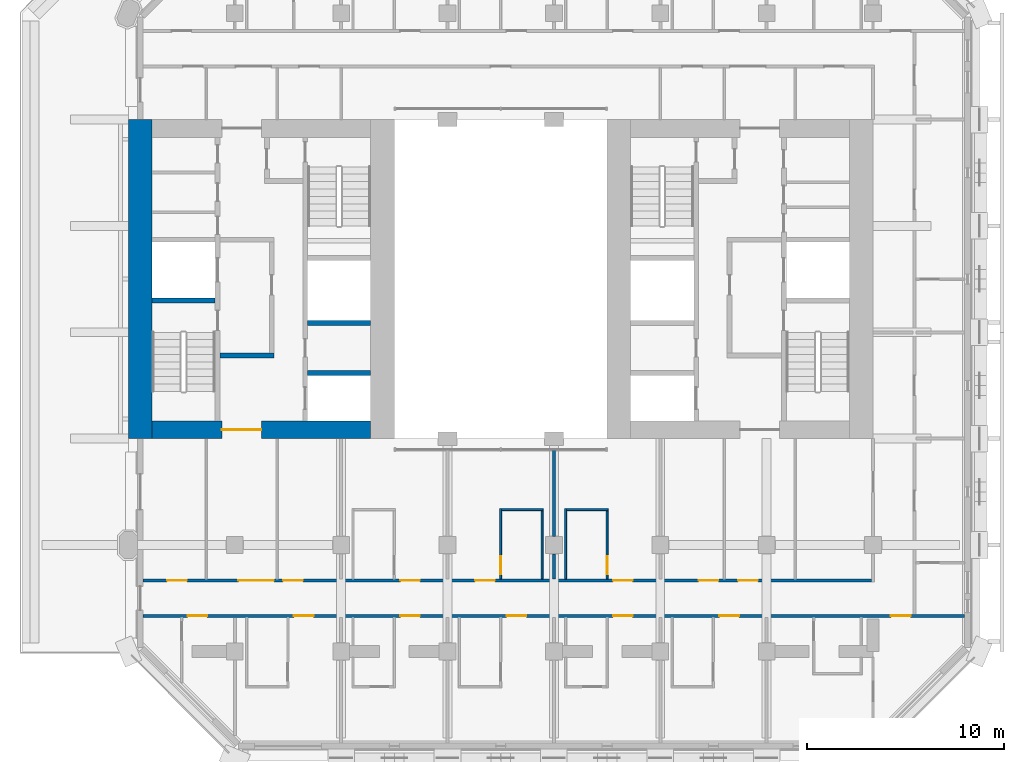
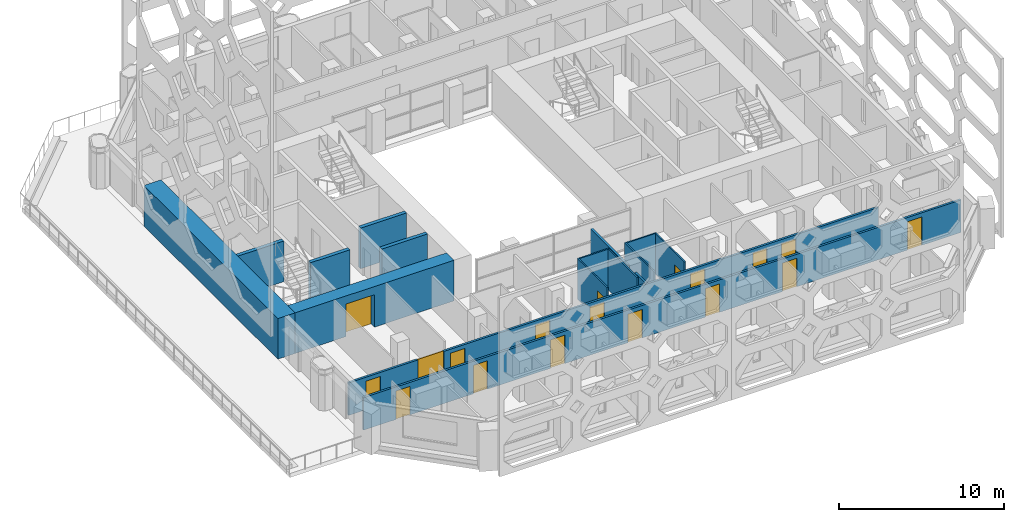
# One storey, part 7 of 16: 18 doors, 16 walls, 18 openings.
"""IFC4 building model written with IfcOpenShell, lengths in metres."""

from ifc_helpers import new_model, si_unit, direction, frame, frame_2d, origin, place, context, subcontext, project, spatial, rectangle, extrude, material, layer, layer_set, type_object, element, fill, save


model = new_model("IFC4")

# Units and contexts
model_context = context("Model", 3, precision=1e-05, world=origin(), true_north=direction((0.0, 1.0)))
body_context = subcontext(model_context, "Body", "Model", "MODEL_VIEW")
ifc_project = project(units=[si_unit("LENGTHUNIT", "METRE"), si_unit("AREAUNIT", "SQUARE_METRE"), si_unit("VOLUMEUNIT", "CUBIC_METRE"), si_unit("PLANEANGLEUNIT", "RADIAN"), si_unit("MASSUNIT", "GRAM", prefix="KILO")], contexts=[model_context])

# Site, building, storey
site_placement = place(None, origin())
site = spatial("IfcSite", under=ifc_project, at=site_placement, CompositionType="ELEMENT")
building_placement = place(site_placement, origin())
building = spatial("IfcBuilding", under=site, at=building_placement, Name="Tabaq Tower and Sports Hall", CompositionType="ELEMENT")
storey_placement = place(building_placement, frame((0.0, 0.0, 152.800048828125)))
storey = spatial("IfcBuildingStorey", under=building, at=storey_placement, Name="L35", CompositionType="ELEMENT", Elevation=152.800048828125)

# Wall
ifc_material_1 = material(Name="Concrete C50/60", Category="concrete")
ifc_layer_1 = layer(ifc_material_1, 1.199951171875)
ifc_layer_set_1 = layer_set([ifc_layer_1], Name="Core wall 1200 Concrete C50/60")
wall_type_1 = type_object("IfcWallType", Name="Core wall 1200 Concrete C50/60", PredefinedType="SOLIDWALL", material=ifc_layer_set_1)
wall_1_placement = place(storey_placement, frame((6.0, 16.199951171875, 0.0), z_axis=(0.0, 0.0, 1.0), x_axis=(0.0, 1.0, 0.0)))
element("IfcWall", 1, at=wall_1_placement, inside=storey, type_object=wall_type_1, Name="Core wall W L35", PredefinedType="SOLIDWALL", context=body_context, shape_type="SweptSolid", body=[
    extrude(rectangle(XDim=16.199951171875, YDim=1.199951171875, at=frame_2d((8.10009765625, 0.0))), origin(), (0.0, 0.0, 1.0), 3.0),
])

# Wall, opening, door
ifc_material_2 = material(Name="Concrete C50/60", Category="concrete")
ifc_layer_2 = layer(ifc_material_2, 0.89990234375)
ifc_layer_set_2 = layer_set([ifc_layer_2], Name="Core wall 900 Concrete C50/60")
wall_type_2 = type_object("IfcWallType", Name="Core wall 900 Concrete C50/60", PredefinedType="SOLIDWALL", material=ifc_layer_set_2)
wall_2_placement = place(storey_placement, frame((17.699951171875, 16.64990234375, 0.0), z_axis=(0.0, 0.0, 1.0), x_axis=(-1.0, 0.0, 0.0)))
wall_2 = element("IfcWall", 2, at=wall_2_placement, inside=storey, type_object=wall_type_2, Name="Core wall W L35", PredefinedType="SOLIDWALL", context=body_context, shape_type="SweptSolid", body=[
    extrude(rectangle(XDim=11.099853515625, YDim=0.89990234375, at=frame_2d((5.5498046875, 0.0))), origin(), (0.0, 0.0, 1.0), 3.0),
])
opening_1_placement = place(wall_2_placement, frame((5.550048828125, 0.0, 0.0)))
opening_1 = element("IfcOpeningElement", 3, at=opening_1_placement, cuts=wall_2, Name="Opening PD-WL35-01", PredefinedType="OPENING", context=body_context, shape_type="SweptSolid", body=[
    extrude(rectangle(XDim=2.0, YDim=2.39990234375, at=frame_2d((1.0, 1.199951171875))), frame((0.0, 0.449951171875, 0.0), z_axis=(0.0, -1.0, 0.0), x_axis=(1.0, 0.0, 0.0)), (0.0, 0.0, 1.0), 0.89990234375),
])
ifc_material_3 = material(Name="Steel fire door", Category="steel")
door_type_1 = type_object("IfcDoorType", Name="Core entrance door 2000", OperationType="DOUBLE_DOOR_SINGLE_SWING", PredefinedType="DOOR", material=ifc_material_3)
door_1_placement = place(opening_1_placement, origin())
door_1 = element("IfcDoor", 4, at=door_1_placement, inside=storey, type_object=door_type_1, Name="Core entrance south W L35", OperationType="DOUBLE_DOOR_SINGLE_SWING", OverallHeight=2.39990234375, OverallWidth=2.0, PredefinedType="DOOR", context=body_context, shape_type="SweptSolid", body=[
    extrude(rectangle(XDim=2.0, YDim=2.39990234375, at=frame_2d((1.0, 1.199951171875))), frame((0.0, 0.02490234375, 0.0), z_axis=(0.0, -1.0, 0.0), x_axis=(1.0, 0.0, 0.0)), (0.0, 0.0, 1.0), 0.050048828125),
])
fill(opening_1, door_1)

ifc_material_4 = material(Name="Gypsum board on steel studs", Category="steel")
ifc_layer_3 = layer(ifc_material_4, 0.10009765625)
ifc_layer_set_3 = layer_set([ifc_layer_3], Name="Partition 100 Gypsum board")
wall_type_3 = type_object("IfcWallType", Name="Partition 100 Gypsum board", PredefinedType="PARTITIONING", material=ifc_layer_set_3)
wall_3_placement = place(storey_placement, frame((24.300048828125, 9.074951171875, 0.0), z_axis=(0.0, 0.0, 1.0), x_axis=(0.0, 1.0, 0.0)))
wall_3 = element("IfcWall", 5, at=wall_3_placement, inside=storey, type_object=wall_type_3, Name="Partition wall L35", PredefinedType="PARTITIONING", context=body_context, shape_type="SweptSolid", body=[
    extrude(rectangle(XDim=3.574951171875, YDim=0.10009765625, at=frame_2d((1.78759765625, 0.0))), origin(), (0.0, 0.0, 1.0), 3.0),
])
opening_2_placement = place(wall_3_placement, frame((0.25, 0.0, 0.0)))
opening_2 = element("IfcOpeningElement", 6, at=opening_2_placement, cuts=wall_3, Name="Opening L35-015", PredefinedType="OPENING", context=body_context, shape_type="SweptSolid", body=[
    extrude(rectangle(XDim=0.89990234375, YDim=2.10009765625, at=frame_2d((0.449951171875, 1.050048828125))), frame((0.0, 0.050048828125, 0.0), z_axis=(0.0, -1.0, 0.0), x_axis=(1.0, 0.0, 0.0)), (0.0, 0.0, 1.0), 0.10009765625),
])
ifc_material_5 = material(Name="Timber leaf in steel frame", Category="steel")
door_type_2 = type_object("IfcDoorType", Name="Internal door 900 left hand", OperationType="SINGLE_SWING_LEFT", PredefinedType="DOOR", material=ifc_material_5)
door_2_placement = place(opening_2_placement, origin())
door_2 = element("IfcDoor", 7, at=door_2_placement, inside=storey, type_object=door_type_2, Name="Internal door L35-015", OperationType="SINGLE_SWING_LEFT", OverallHeight=2.10009765625, OverallWidth=0.89990234375, PredefinedType="DOOR", context=body_context, shape_type="SweptSolid", body=[
    extrude(rectangle(XDim=0.89990234375, YDim=2.10009765625, at=frame_2d((0.449951171875, 1.050048828125))), frame((0.0, 0.02490234375, 0.0), z_axis=(0.0, -1.0, 0.0), x_axis=(1.0, 0.0, 0.0)), (0.0, 0.0, 1.0), 0.050048828125),
])
fill(opening_2, door_2)

# Walls
wall_4_placement = place(storey_placement, frame((24.35009765625, 12.60009765625, 0.0), z_axis=(0.0, 0.0, 1.0), x_axis=(1.0, 0.0, 0.0)))
element("IfcWall", 8, at=wall_4_placement, inside=storey, type_object=wall_type_3, Name="Partition wall L35", PredefinedType="PARTITIONING", context=body_context, shape_type="SweptSolid", body=[
    extrude(rectangle(XDim=2.099853515625, YDim=0.10009765625, at=frame_2d((1.0498046875, 0.0))), origin(), (0.0, 0.0, 1.0), 3.0),
])
wall_5_placement = place(storey_placement, frame((26.39990234375, 12.550048828125, 0.0), z_axis=(0.0, 0.0, 1.0), x_axis=(0.0, -1.0, 0.0)))
element("IfcWall", 9, at=wall_5_placement, inside=storey, type_object=wall_type_3, Name="Partition wall L35", PredefinedType="PARTITIONING", context=body_context, shape_type="SweptSolid", body=[
    extrude(rectangle(XDim=3.47509765625, YDim=0.10009765625, at=frame_2d((1.737548828125, 0.0))), origin(), (0.0, 0.0, 1.0), 3.0),
])
wall_6_placement = place(storey_placement, frame((27.60009765625, 9.074951171875, 0.0), z_axis=(0.0, 0.0, 1.0), x_axis=(0.0, 1.0, 0.0)))
element("IfcWall", 10, at=wall_6_placement, inside=storey, type_object=wall_type_3, Name="Partition wall L35", PredefinedType="PARTITIONING", context=body_context, shape_type="SweptSolid", body=[
    extrude(rectangle(XDim=3.574951171875, YDim=0.10009765625, at=frame_2d((1.78759765625, 0.0))), origin(), (0.0, 0.0, 1.0), 3.0),
])
wall_7_placement = place(storey_placement, frame((27.64990234375, 12.60009765625, 0.0), z_axis=(0.0, 0.0, 1.0), x_axis=(1.0, 0.0, 0.0)))
element("IfcWall", 11, at=wall_7_placement, inside=storey, type_object=wall_type_3, Name="Partition wall L35", PredefinedType="PARTITIONING", context=body_context, shape_type="SweptSolid", body=[
    extrude(rectangle(XDim=2.10009765625, YDim=0.10009765625, at=frame_2d((1.050048828125, 0.0))), origin(), (0.0, 0.0, 1.0), 3.0),
])

# Wall, opening, door
wall_8_placement = place(storey_placement, frame((29.699951171875, 12.550048828125, 0.0), z_axis=(0.0, 0.0, 1.0), x_axis=(0.0, -1.0, 0.0)))
wall_8 = element("IfcWall", 12, at=wall_8_placement, inside=storey, type_object=wall_type_3, Name="Partition wall L35", PredefinedType="PARTITIONING", context=body_context, shape_type="SweptSolid", body=[
    extrude(rectangle(XDim=3.47509765625, YDim=0.10009765625, at=frame_2d((1.737548828125, 0.0))), origin(), (0.0, 0.0, 1.0), 3.0),
])
opening_3_placement = place(wall_8_placement, frame((2.324951171875, 0.0, 0.0)))
opening_3 = element("IfcOpeningElement", 13, at=opening_3_placement, cuts=wall_8, Name="Opening L35-016", PredefinedType="OPENING", context=body_context, shape_type="SweptSolid", body=[
    extrude(rectangle(XDim=0.89990234375, YDim=2.10009765625, at=frame_2d((0.449951171875, 1.050048828125))), frame((0.0, 0.050048828125, 0.0), z_axis=(0.0, -1.0, 0.0), x_axis=(1.0, 0.0, 0.0)), (0.0, 0.0, 1.0), 0.10009765625),
])
ifc_material_6 = material(Name="Timber leaf in steel frame", Category="steel")
door_type_3 = type_object("IfcDoorType", Name="Internal door 900 right hand", OperationType="SINGLE_SWING_RIGHT", PredefinedType="DOOR", material=ifc_material_6)
door_3_placement = place(opening_3_placement, origin())
door_3 = element("IfcDoor", 14, at=door_3_placement, inside=storey, type_object=door_type_3, Name="Internal door L35-016", OperationType="SINGLE_SWING_RIGHT", OverallHeight=2.10009765625, OverallWidth=0.89990234375, PredefinedType="DOOR", context=body_context, shape_type="SweptSolid", body=[
    extrude(rectangle(XDim=0.89990234375, YDim=2.10009765625, at=frame_2d((0.449951171875, 1.050048828125))), frame((0.0, 0.02490234375, 0.0), z_axis=(0.0, -1.0, 0.0), x_axis=(1.0, 0.0, 0.0)), (0.0, 0.0, 1.0), 0.050048828125),
])
fill(opening_3, door_3)

# Walls
ifc_material_7 = material(Name="Blockwork", Category="masonry")
ifc_layer_4 = layer(ifc_material_7, 0.14990234375)
ifc_layer_set_4 = layer_set([ifc_layer_4], Name="Separating wall 150 Blockwork")
wall_type_4 = type_object("IfcWallType", Name="Separating wall 150 Blockwork", PredefinedType="PARTITIONING", material=ifc_layer_set_4)
wall_9_placement = place(storey_placement, frame((27.0, 9.074951171875, 0.0), z_axis=(0.0, 0.0, 1.0), x_axis=(0.0, 1.0, 0.0)))
element("IfcWall", 15, at=wall_9_placement, inside=storey, type_object=wall_type_4, Name="Separating wall L35", PredefinedType="PARTITIONING", context=body_context, shape_type="SweptSolid", body=[
    extrude(rectangle(XDim=1.280029296875, YDim=0.14990234375, at=frame_2d((0.64013671875, 0.0))), origin(), (0.0, 0.0, 1.0), 2.39990234375),
])
wall_10_placement = place(storey_placement, frame((27.0, 11.2451171875, 0.0), z_axis=(0.0, 0.0, 1.0), x_axis=(0.0, 1.0, 0.0)))
element("IfcWall", 16, at=wall_10_placement, inside=storey, type_object=wall_type_4, Name="Separating wall L35", PredefinedType="PARTITIONING", context=body_context, shape_type="SweptSolid", body=[
    extrude(rectangle(XDim=4.4599609375, YDim=0.14990234375, at=frame_2d((2.22998046875, 0.0))), origin(), (0.0, 0.0, 1.0), 2.39990234375),
])

# Wall, openings, doors
wall_11_placement = place(storey_placement, frame((6.15087890625, 7.199951171875, 0.0), z_axis=(0.0, 0.0, 1.0), x_axis=(1.0, 0.0, 0.0)))
wall_11 = element("IfcWall", 17, at=wall_11_placement, inside=storey, type_object=wall_type_4, Name="Separating wall L35", PredefinedType="PARTITIONING", context=body_context, shape_type="SweptSolid", body=[
    extrude(rectangle(XDim=41.6982421875, YDim=0.14990234375, at=frame_2d((20.84912109375, 0.0))), origin(), (0.0, 0.0, 1.0), 2.39990234375),
])
opening_4_placement = place(wall_11_placement, frame((2.2490234375, 0.0, 0.0)))
opening_4 = element("IfcOpeningElement", 18, at=opening_4_placement, cuts=wall_11, Name="Opening L35-043", PredefinedType="OPENING", context=body_context, shape_type="SweptSolid", body=[
    extrude(rectangle(XDim=1.0, YDim=2.10009765625, at=frame_2d((0.5, 1.050048828125))), frame((0.0, 0.074951171875, 0.0), z_axis=(0.0, -1.0, 0.0), x_axis=(1.0, 0.0, 0.0)), (0.0, 0.0, 1.0), 0.14990234375),
])
opening_5_placement = place(wall_11_placement, frame((7.64892578125, 0.0, 0.0)))
opening_5 = element("IfcOpeningElement", 19, at=opening_5_placement, cuts=wall_11, Name="Opening L35-044", PredefinedType="OPENING", context=body_context, shape_type="SweptSolid", body=[
    extrude(rectangle(XDim=1.0, YDim=2.10009765625, at=frame_2d((0.5, 1.050048828125))), frame((0.0, 0.074951171875, 0.0), z_axis=(0.0, -1.0, 0.0), x_axis=(1.0, 0.0, 0.0)), (0.0, 0.0, 1.0), 0.14990234375),
])
opening_6_placement = place(wall_11_placement, frame((13.049072265625, 0.0, 0.0)))
opening_6 = element("IfcOpeningElement", 20, at=opening_6_placement, cuts=wall_11, Name="Opening L35-045", PredefinedType="OPENING", context=body_context, shape_type="SweptSolid", body=[
    extrude(rectangle(XDim=1.0, YDim=2.10009765625, at=frame_2d((0.5, 1.050048828125))), frame((0.0, 0.074951171875, 0.0), z_axis=(0.0, -1.0, 0.0), x_axis=(1.0, 0.0, 0.0)), (0.0, 0.0, 1.0), 0.14990234375),
])
opening_7_placement = place(wall_11_placement, frame((18.448974609375, 0.0, 0.0)))
opening_7 = element("IfcOpeningElement", 21, at=opening_7_placement, cuts=wall_11, Name="Opening L35-046", PredefinedType="OPENING", context=body_context, shape_type="SweptSolid", body=[
    extrude(rectangle(XDim=1.0, YDim=2.10009765625, at=frame_2d((0.5, 1.050048828125))), frame((0.0, 0.074951171875, 0.0), z_axis=(0.0, -1.0, 0.0), x_axis=(1.0, 0.0, 0.0)), (0.0, 0.0, 1.0), 0.14990234375),
])
opening_8_placement = place(wall_11_placement, frame((23.84912109375, 0.0, 0.0)))
opening_8 = element("IfcOpeningElement", 22, at=opening_8_placement, cuts=wall_11, Name="Opening L35-047", PredefinedType="OPENING", context=body_context, shape_type="SweptSolid", body=[
    extrude(rectangle(XDim=1.0, YDim=2.10009765625, at=frame_2d((0.5, 1.050048828125))), frame((0.0, 0.074951171875, 0.0), z_axis=(0.0, -1.0, 0.0), x_axis=(1.0, 0.0, 0.0)), (0.0, 0.0, 1.0), 0.14990234375),
])
opening_9_placement = place(wall_11_placement, frame((29.2490234375, 0.0, 0.0)))
opening_9 = element("IfcOpeningElement", 23, at=opening_9_placement, cuts=wall_11, Name="Opening L35-048", PredefinedType="OPENING", context=body_context, shape_type="SweptSolid", body=[
    extrude(rectangle(XDim=1.0, YDim=2.10009765625, at=frame_2d((0.5, 1.050048828125))), frame((0.0, 0.074951171875, 0.0), z_axis=(0.0, -1.0, 0.0), x_axis=(1.0, 0.0, 0.0)), (0.0, 0.0, 1.0), 0.14990234375),
])
opening_10_placement = place(wall_11_placement, frame((37.9541015625, 0.0, 0.0)))
opening_10 = element("IfcOpeningElement", 24, at=opening_10_placement, cuts=wall_11, Name="Opening L35-050", PredefinedType="OPENING", context=body_context, shape_type="SweptSolid", body=[
    extrude(rectangle(XDim=1.0, YDim=2.10009765625, at=frame_2d((0.5, 1.050048828125))), frame((0.0, 0.074951171875, 0.0), z_axis=(0.0, -1.0, 0.0), x_axis=(1.0, 0.0, 0.0)), (0.0, 0.0, 1.0), 0.14990234375),
])
ifc_material_8 = material(Name="Steel fire door", Category="steel")
door_type_4 = type_object("IfcDoorType", Name="Entrance door 1000 left hand", OperationType="SINGLE_SWING_LEFT", PredefinedType="DOOR", material=ifc_material_8)
door_4_placement = place(opening_4_placement, origin())
door_4 = element("IfcDoor", 25, at=door_4_placement, inside=storey, type_object=door_type_4, Name="Entrance door L35-043", OperationType="SINGLE_SWING_LEFT", OverallHeight=2.10009765625, OverallWidth=1.0, PredefinedType="DOOR", context=body_context, shape_type="SweptSolid", body=[
    extrude(rectangle(XDim=1.0, YDim=2.10009765625, at=frame_2d((0.5, 1.050048828125))), frame((0.0, 0.02490234375, 0.0), z_axis=(0.0, -1.0, 0.0), x_axis=(1.0, 0.0, 0.0)), (0.0, 0.0, 1.0), 0.050048828125),
])
fill(opening_4, door_4)
door_5_placement = place(opening_7_placement, origin())
door_5 = element("IfcDoor", 26, at=door_5_placement, inside=storey, type_object=door_type_4, Name="Entrance door L35-046", OperationType="SINGLE_SWING_LEFT", OverallHeight=2.10009765625, OverallWidth=1.0, PredefinedType="DOOR", context=body_context, shape_type="SweptSolid", body=[
    extrude(rectangle(XDim=1.0, YDim=2.10009765625, at=frame_2d((0.5, 1.050048828125))), frame((0.0, 0.02490234375, 0.0), z_axis=(0.0, -1.0, 0.0), x_axis=(1.0, 0.0, 0.0)), (0.0, 0.0, 1.0), 0.050048828125),
])
fill(opening_7, door_5)
door_6_placement = place(opening_8_placement, origin())
door_6 = element("IfcDoor", 27, at=door_6_placement, inside=storey, type_object=door_type_4, Name="Entrance door L35-047", OperationType="SINGLE_SWING_LEFT", OverallHeight=2.10009765625, OverallWidth=1.0, PredefinedType="DOOR", context=body_context, shape_type="SweptSolid", body=[
    extrude(rectangle(XDim=1.0, YDim=2.10009765625, at=frame_2d((0.5, 1.050048828125))), frame((0.0, 0.02490234375, 0.0), z_axis=(0.0, -1.0, 0.0), x_axis=(1.0, 0.0, 0.0)), (0.0, 0.0, 1.0), 0.050048828125),
])
fill(opening_8, door_6)
door_7_placement = place(opening_10_placement, origin())
door_7 = element("IfcDoor", 28, at=door_7_placement, inside=storey, type_object=door_type_4, Name="Entrance door L35-050", OperationType="SINGLE_SWING_LEFT", OverallHeight=2.10009765625, OverallWidth=1.0, PredefinedType="DOOR", context=body_context, shape_type="SweptSolid", body=[
    extrude(rectangle(XDim=1.0, YDim=2.10009765625, at=frame_2d((0.5, 1.050048828125))), frame((0.0, 0.02490234375, 0.0), z_axis=(0.0, -1.0, 0.0), x_axis=(1.0, 0.0, 0.0)), (0.0, 0.0, 1.0), 0.050048828125),
])
fill(opening_10, door_7)
ifc_material_9 = material(Name="Steel fire door", Category="steel")
door_type_5 = type_object("IfcDoorType", Name="Entrance door 1000 right hand", OperationType="SINGLE_SWING_RIGHT", PredefinedType="DOOR", material=ifc_material_9)
door_8_placement = place(opening_5_placement, origin())
door_8 = element("IfcDoor", 29, at=door_8_placement, inside=storey, type_object=door_type_5, Name="Entrance door L35-044", OperationType="SINGLE_SWING_RIGHT", OverallHeight=2.10009765625, OverallWidth=1.0, PredefinedType="DOOR", context=body_context, shape_type="SweptSolid", body=[
    extrude(rectangle(XDim=1.0, YDim=2.10009765625, at=frame_2d((0.5, 1.050048828125))), frame((0.0, 0.02490234375, 0.0), z_axis=(0.0, -1.0, 0.0), x_axis=(1.0, 0.0, 0.0)), (0.0, 0.0, 1.0), 0.050048828125),
])
fill(opening_5, door_8)
door_9_placement = place(opening_6_placement, origin())
door_9 = element("IfcDoor", 30, at=door_9_placement, inside=storey, type_object=door_type_5, Name="Entrance door L35-045", OperationType="SINGLE_SWING_RIGHT", OverallHeight=2.10009765625, OverallWidth=1.0, PredefinedType="DOOR", context=body_context, shape_type="SweptSolid", body=[
    extrude(rectangle(XDim=1.0, YDim=2.10009765625, at=frame_2d((0.5, 1.050048828125))), frame((0.0, 0.02490234375, 0.0), z_axis=(0.0, -1.0, 0.0), x_axis=(1.0, 0.0, 0.0)), (0.0, 0.0, 1.0), 0.050048828125),
])
fill(opening_6, door_9)
door_10_placement = place(opening_9_placement, origin())
door_10 = element("IfcDoor", 31, at=door_10_placement, inside=storey, type_object=door_type_5, Name="Entrance door L35-048", OperationType="SINGLE_SWING_RIGHT", OverallHeight=2.10009765625, OverallWidth=1.0, PredefinedType="DOOR", context=body_context, shape_type="SweptSolid", body=[
    extrude(rectangle(XDim=1.0, YDim=2.10009765625, at=frame_2d((0.5, 1.050048828125))), frame((0.0, 0.02490234375, 0.0), z_axis=(0.0, -1.0, 0.0), x_axis=(1.0, 0.0, 0.0)), (0.0, 0.0, 1.0), 0.050048828125),
])
fill(opening_9, door_10)

wall_12_placement = place(storey_placement, frame((6.15087890625, 9.0, 0.0), z_axis=(0.0, 0.0, 1.0), x_axis=(1.0, 0.0, 0.0)))
wall_12 = element("IfcWall", 32, at=wall_12_placement, inside=storey, type_object=wall_type_4, Name="Separating wall L35", PredefinedType="PARTITIONING", context=body_context, shape_type="SweptSolid", body=[
    extrude(rectangle(XDim=36.97412109375, YDim=0.14990234375, at=frame_2d((18.487060546875, 0.0))), origin(), (0.0, 0.0, 1.0), 2.39990234375),
])
opening_11_placement = place(wall_12_placement, frame((1.214111328125, 0.0, 0.0)))
opening_11 = element("IfcOpeningElement", 33, at=opening_11_placement, cuts=wall_12, Name="Opening L35-026", PredefinedType="OPENING", context=body_context, shape_type="SweptSolid", body=[
    extrude(rectangle(XDim=1.0, YDim=2.10009765625, at=frame_2d((0.5, 1.050048828125))), frame((0.0, 0.074951171875, 0.0), z_axis=(0.0, -1.0, 0.0), x_axis=(1.0, 0.0, 0.0)), (0.0, 0.0, 1.0), 0.14990234375),
])
opening_12_placement = place(wall_12_placement, frame((28.198974609375, 0.0, 0.0)))
opening_12 = element("IfcOpeningElement", 34, at=opening_12_placement, cuts=wall_12, Name="Opening L35-027", PredefinedType="OPENING", context=body_context, shape_type="SweptSolid", body=[
    extrude(rectangle(XDim=1.0, YDim=2.10009765625, at=frame_2d((0.5, 1.050048828125))), frame((0.0, 0.074951171875, 0.0), z_axis=(0.0, -1.0, 0.0), x_axis=(1.0, 0.0, 0.0)), (0.0, 0.0, 1.0), 0.14990234375),
])
opening_13_placement = place(wall_12_placement, frame((7.09912109375, 0.0, 0.0)))
opening_13 = element("IfcOpeningElement", 35, at=opening_13_placement, cuts=wall_12, Name="Opening L35-029", PredefinedType="OPENING", context=body_context, shape_type="SweptSolid", body=[
    extrude(rectangle(XDim=1.0, YDim=2.10009765625, at=frame_2d((0.5, 1.050048828125))), frame((0.0, 0.074951171875, 0.0), z_axis=(0.0, -1.0, 0.0), x_axis=(1.0, 0.0, 0.0)), (0.0, 0.0, 1.0), 0.14990234375),
])
opening_14_placement = place(wall_12_placement, frame((13.049072265625, 0.0, 0.0)))
opening_14 = element("IfcOpeningElement", 36, at=opening_14_placement, cuts=wall_12, Name="Opening L35-039", PredefinedType="OPENING", context=body_context, shape_type="SweptSolid", body=[
    extrude(rectangle(XDim=1.0, YDim=2.10009765625, at=frame_2d((0.5, 1.050048828125))), frame((0.0, 0.074951171875, 0.0), z_axis=(0.0, -1.0, 0.0), x_axis=(1.0, 0.0, 0.0)), (0.0, 0.0, 1.0), 0.14990234375),
])
opening_15_placement = place(wall_12_placement, frame((16.84912109375, 0.0, 0.0)))
opening_15 = element("IfcOpeningElement", 37, at=opening_15_placement, cuts=wall_12, Name="Opening L35-040", PredefinedType="OPENING", context=body_context, shape_type="SweptSolid", body=[
    extrude(rectangle(XDim=1.0, YDim=2.10009765625, at=frame_2d((0.5, 1.050048828125))), frame((0.0, 0.074951171875, 0.0), z_axis=(0.0, -1.0, 0.0), x_axis=(1.0, 0.0, 0.0)), (0.0, 0.0, 1.0), 0.14990234375),
])
opening_16_placement = place(wall_12_placement, frame((23.84912109375, 0.0, 0.0)))
opening_16 = element("IfcOpeningElement", 38, at=opening_16_placement, cuts=wall_12, Name="Opening L35-041", PredefinedType="OPENING", context=body_context, shape_type="SweptSolid", body=[
    extrude(rectangle(XDim=1.0, YDim=2.10009765625, at=frame_2d((0.5, 1.050048828125))), frame((0.0, 0.074951171875, 0.0), z_axis=(0.0, -1.0, 0.0), x_axis=(1.0, 0.0, 0.0)), (0.0, 0.0, 1.0), 0.14990234375),
])
opening_17_placement = place(wall_12_placement, frame((4.8291015625, 0.0, 0.0)))
opening_17 = element("IfcOpeningElement", 39, at=opening_17_placement, cuts=wall_12, Name="Opening L35-051", PredefinedType="OPENING", context=body_context, shape_type="SweptSolid", body=[
    extrude(rectangle(XDim=1.800048828125, YDim=2.39990234375, at=frame_2d((0.89990234375, 1.199951171875))), frame((0.0, 0.074951171875, 0.0), z_axis=(0.0, -1.0, 0.0), x_axis=(1.0, 0.0, 0.0)), (0.0, 0.0, 1.0), 0.14990234375),
])
opening_18_placement = place(wall_12_placement, frame((30.198974609375, 0.0, 0.0)))
opening_18 = element("IfcOpeningElement", 40, at=opening_18_placement, cuts=wall_12, Name="Opening L35-052", PredefinedType="OPENING", context=body_context, shape_type="SweptSolid", body=[
    extrude(rectangle(XDim=1.0, YDim=2.10009765625, at=frame_2d((0.5, 1.050048828125))), frame((0.0, 0.074951171875, 0.0), z_axis=(0.0, -1.0, 0.0), x_axis=(1.0, 0.0, 0.0)), (0.0, 0.0, 1.0), 0.14990234375),
])
door_11_placement = place(opening_15_placement, origin())
door_11 = element("IfcDoor", 41, at=door_11_placement, inside=storey, type_object=door_type_4, Name="Entrance door L35-040", OperationType="SINGLE_SWING_LEFT", OverallHeight=2.10009765625, OverallWidth=1.0, PredefinedType="DOOR", context=body_context, shape_type="SweptSolid", body=[
    extrude(rectangle(XDim=1.0, YDim=2.10009765625, at=frame_2d((0.5, 1.050048828125))), frame((0.0, 0.02490234375, 0.0), z_axis=(0.0, -1.0, 0.0), x_axis=(1.0, 0.0, 0.0)), (0.0, 0.0, 1.0), 0.050048828125),
])
fill(opening_15, door_11)
door_12_placement = place(opening_14_placement, origin())
door_12 = element("IfcDoor", 42, at=door_12_placement, inside=storey, type_object=door_type_5, Name="Entrance door L35-039", OperationType="SINGLE_SWING_RIGHT", OverallHeight=2.10009765625, OverallWidth=1.0, PredefinedType="DOOR", context=body_context, shape_type="SweptSolid", body=[
    extrude(rectangle(XDim=1.0, YDim=2.10009765625, at=frame_2d((0.5, 1.050048828125))), frame((0.0, 0.02490234375, 0.0), z_axis=(0.0, -1.0, 0.0), x_axis=(1.0, 0.0, 0.0)), (0.0, 0.0, 1.0), 0.050048828125),
])
fill(opening_14, door_12)
door_13_placement = place(opening_16_placement, origin())
door_13 = element("IfcDoor", 43, at=door_13_placement, inside=storey, type_object=door_type_5, Name="Entrance door L35-041", OperationType="SINGLE_SWING_RIGHT", OverallHeight=2.10009765625, OverallWidth=1.0, PredefinedType="DOOR", context=body_context, shape_type="SweptSolid", body=[
    extrude(rectangle(XDim=1.0, YDim=2.10009765625, at=frame_2d((0.5, 1.050048828125))), frame((0.0, 0.02490234375, 0.0), z_axis=(0.0, -1.0, 0.0), x_axis=(1.0, 0.0, 0.0)), (0.0, 0.0, 1.0), 0.050048828125),
])
fill(opening_16, door_13)
ifc_material_10 = material(Name="Timber leaf in steel frame", Category="steel")
door_type_6 = type_object("IfcDoorType", Name="Internal door 1000 left hand", OperationType="SINGLE_SWING_LEFT", PredefinedType="DOOR", material=ifc_material_10)
door_14_placement = place(opening_11_placement, origin())
door_14 = element("IfcDoor", 44, at=door_14_placement, inside=storey, type_object=door_type_6, Name="Internal door L35-026", OperationType="SINGLE_SWING_LEFT", OverallHeight=2.10009765625, OverallWidth=1.0, PredefinedType="DOOR", context=body_context, shape_type="SweptSolid", body=[
    extrude(rectangle(XDim=1.0, YDim=2.10009765625, at=frame_2d((0.5, 1.050048828125))), frame((0.0, 0.02490234375, 0.0), z_axis=(0.0, -1.0, 0.0), x_axis=(1.0, 0.0, 0.0)), (0.0, 0.0, 1.0), 0.050048828125),
])
fill(opening_11, door_14)
door_15_placement = place(opening_12_placement, origin())
door_15 = element("IfcDoor", 45, at=door_15_placement, inside=storey, type_object=door_type_6, Name="Internal door L35-027", OperationType="SINGLE_SWING_LEFT", OverallHeight=2.10009765625, OverallWidth=1.0, PredefinedType="DOOR", context=body_context, shape_type="SweptSolid", body=[
    extrude(rectangle(XDim=1.0, YDim=2.10009765625, at=frame_2d((0.5, 1.050048828125))), frame((0.0, 0.02490234375, 0.0), z_axis=(0.0, -1.0, 0.0), x_axis=(1.0, 0.0, 0.0)), (0.0, 0.0, 1.0), 0.050048828125),
])
fill(opening_12, door_15)
door_16_placement = place(opening_18_placement, origin())
door_16 = element("IfcDoor", 46, at=door_16_placement, inside=storey, type_object=door_type_6, Name="Internal door L35-052", OperationType="SINGLE_SWING_LEFT", OverallHeight=2.10009765625, OverallWidth=1.0, PredefinedType="DOOR", context=body_context, shape_type="SweptSolid", body=[
    extrude(rectangle(XDim=1.0, YDim=2.10009765625, at=frame_2d((0.5, 1.050048828125))), frame((0.0, 0.02490234375, 0.0), z_axis=(0.0, -1.0, 0.0), x_axis=(1.0, 0.0, 0.0)), (0.0, 0.0, 1.0), 0.050048828125),
])
fill(opening_18, door_16)
ifc_material_11 = material(Name="Timber leaf in steel frame", Category="steel")
door_type_7 = type_object("IfcDoorType", Name="Internal door 1000 right hand", OperationType="SINGLE_SWING_RIGHT", PredefinedType="DOOR", material=ifc_material_11)
door_17_placement = place(opening_13_placement, origin())
door_17 = element("IfcDoor", 47, at=door_17_placement, inside=storey, type_object=door_type_7, Name="Internal door L35-029", OperationType="SINGLE_SWING_RIGHT", OverallHeight=2.10009765625, OverallWidth=1.0, PredefinedType="DOOR", context=body_context, shape_type="SweptSolid", body=[
    extrude(rectangle(XDim=1.0, YDim=2.10009765625, at=frame_2d((0.5, 1.050048828125))), frame((0.0, 0.02490234375, 0.0), z_axis=(0.0, -1.0, 0.0), x_axis=(1.0, 0.0, 0.0)), (0.0, 0.0, 1.0), 0.050048828125),
])
fill(opening_13, door_17)
ifc_material_12 = material(Name="Timber leaf in steel frame", Category="steel")
door_type_8 = type_object("IfcDoorType", Name="Internal door 1800", OperationType="DOUBLE_DOOR_SINGLE_SWING", PredefinedType="DOOR", material=ifc_material_12)
door_18_placement = place(opening_17_placement, origin())
door_18 = element("IfcDoor", 48, at=door_18_placement, inside=storey, type_object=door_type_8, Name="Internal door L35-051", OperationType="DOUBLE_DOOR_SINGLE_SWING", OverallHeight=2.39990234375, OverallWidth=1.800048828125, PredefinedType="DOOR", context=body_context, shape_type="SweptSolid", body=[
    extrude(rectangle(XDim=1.800048828125, YDim=2.39990234375, at=frame_2d((0.89990234375, 1.199951171875))), frame((0.0, 0.02490234375, 0.0), z_axis=(0.0, -1.0, 0.0), x_axis=(1.0, 0.0, 0.0)), (0.0, 0.0, 1.0), 0.050048828125),
])
fill(opening_17, door_18)

# Walls
ifc_material_13 = material(Name="Concrete C40/50", Category="concrete")
ifc_layer_5 = layer(ifc_material_13, 0.25)
ifc_layer_set_5 = layer_set([ifc_layer_5], Name="Shaft and stair wall 250 Concrete C40/50")
wall_type_5 = type_object("IfcWallType", Name="Shaft and stair wall 250 Concrete C40/50", PredefinedType="SOLIDWALL", material=ifc_layer_set_5)
for number, where, z_axis, x_axis, name in (
    (49, (6.60009765625, 23.22509765625, 0.0), (0.0, 0.0, 1.0), (1.0, 0.0, 0.0), "Stair enclosure wall W L35"),
    (50, (14.5, 22.074951171875, 0.0), (0.0, 0.0, 1.0), (1.0, 0.0, 0.0), "Shaft wall W L35"),
):
    element("IfcWall", number, at=place(storey_placement, frame(where, z_axis=z_axis, x_axis=x_axis)), inside=storey, type_object=wall_type_5, Name=name, PredefinedType="SOLIDWALL", context=body_context, shape_type="SweptSolid", body=[
        extrude(rectangle(XDim=3.199951171875, YDim=0.25, at=frame_2d((1.60009765625, 0.0))), origin(), (0.0, 0.0, 1.0), 3.0),
    ])
wall_13_placement = place(storey_placement, frame((10.050048828125, 20.425048828125, 0.0), z_axis=(0.0, 0.0, 1.0), x_axis=(1.0, 0.0, 0.0)))
element("IfcWall", 51, at=wall_13_placement, inside=storey, type_object=wall_type_5, Name="Fire-fighting lobby wall W L35", PredefinedType="SOLIDWALL", context=body_context, shape_type="SweptSolid", body=[
    extrude(rectangle(XDim=2.75, YDim=0.25, at=frame_2d((1.375, 0.0))), origin(), (0.0, 0.0, 1.0), 3.0),
])
wall_14_placement = place(storey_placement, frame((14.5, 19.52490234375, 0.0), z_axis=(0.0, 0.0, 1.0), x_axis=(1.0, 0.0, 0.0)))
element("IfcWall", 52, at=wall_14_placement, inside=storey, type_object=wall_type_5, Name="Shaft wall W L35", PredefinedType="SOLIDWALL", context=body_context, shape_type="SweptSolid", body=[
    extrude(rectangle(XDim=3.199951171875, YDim=0.25, at=frame_2d((1.60009765625, 0.0))), origin(), (0.0, 0.0, 1.0), 3.0),
])

save(model, "model.ifc")
